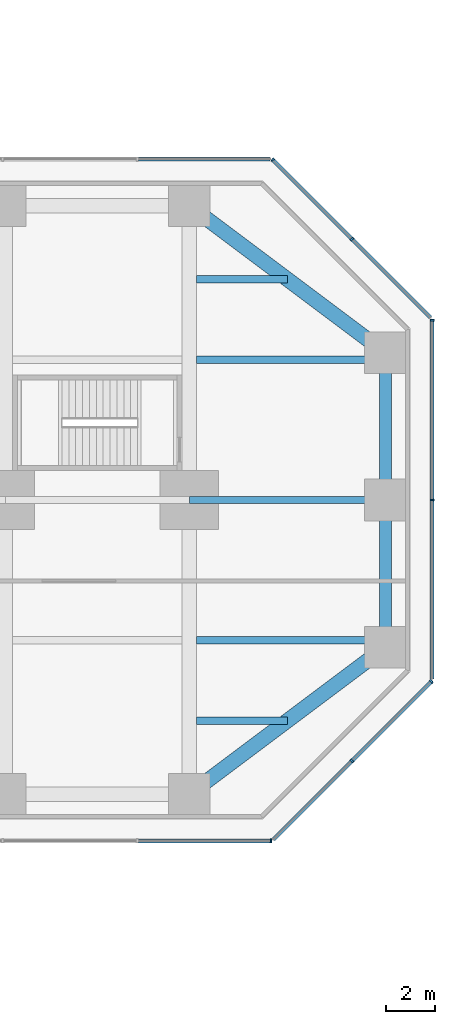
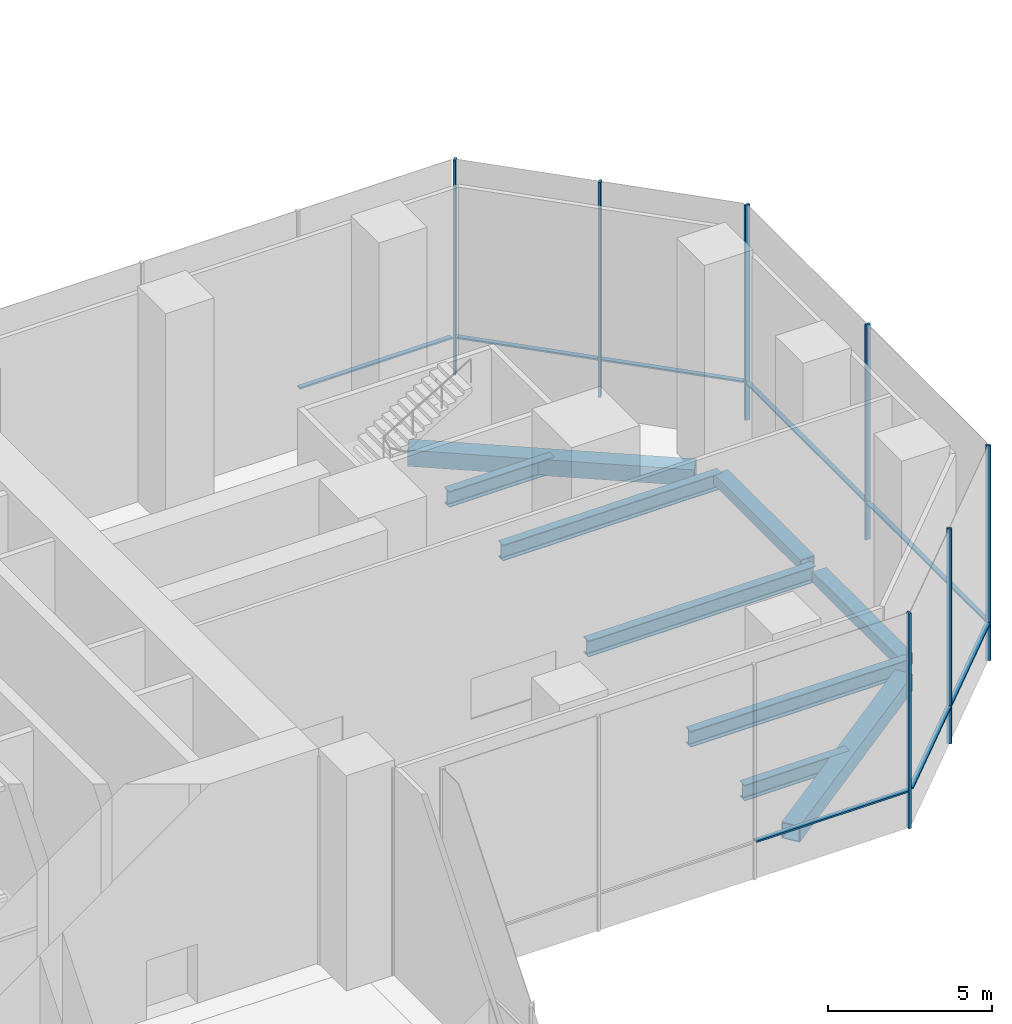
# One storey, part 11 of 25: 15 members, 9 beams, 5 elements without a shape of their own.
"""IFC4 building model written with IfcOpenShell, lengths in metres."""

import ifcopenshell
import ifcopenshell.guid

model = None  # the IFC model being written
_history = None  # IfcOwnerHistory: only IFC2X3 demands one
_inside = {}  # id of a spatial element -> (the spatial element, [elements in it])
_under = {}  # id of a project, library or spatial element -> (it, [spatial elements below it])
_declared = {}  # id of a project -> (the project, [libraries it declares])
_typed = {}  # id of a type object -> (the type object, [elements of that type])
_made_of = {}  # id of a material, layer set ... -> (it, [elements and type objects made of it])


def new_model(schema):
    """Start an empty IFC model of exactly this schema.

    Asked for "IFC4X3", IfcOpenShell would pick the latest addendum, in which some entities
    have other attributes; the version numbers below select the first issue.
    IFC2X3 requires an IfcOwnerHistory on every rooted entity: one is made here for all.
    """
    global model, _history
    if schema == "IFC4X3":
        model = ifcopenshell.file(schema_version=(4, 3, 0, 0))
    else:
        model = ifcopenshell.file(schema=schema)
    _inside.clear()
    _under.clear()
    _declared.clear()
    _typed.clear()
    _made_of.clear()
    _history = None
    if model.schema == "IFC2X3":
        org = make("IfcOrganization", Name="unknown")
        user = make(
            "IfcPersonAndOrganization",
            ThePerson=make("IfcPerson", FamilyName="unknown"),
            TheOrganization=org,
        )
        app = make(
            "IfcApplication",
            ApplicationDeveloper=org,
            Version="unknown",
            ApplicationFullName="unknown",
            ApplicationIdentifier="unknown",
        )
        _history = make(
            "IfcOwnerHistory",
            OwningUser=user,
            OwningApplication=app,
            ChangeAction="ADDED",
            CreationDate=0,
        )
    return model


def make(cls, **values):
    """One entity of the class cls with the attributes given. An attribute that is None is left unset."""
    return model.create_entity(
        cls, **{name: value for name, value in values.items() if value is not None}
    )


def rooted(cls, **values):
    """An entity with a GlobalId (a new one), such as an element, a storey or a relation."""
    return make(cls, GlobalId=ifcopenshell.guid.new(), OwnerHistory=_history, **values)


def si_unit(unit_type, name, prefix=None):
    """IfcSIUnit, for example si_unit("LENGTHUNIT", "METRE", prefix="MILLI")."""
    return make("IfcSIUnit", UnitType=unit_type, Prefix=prefix, Name=name)


def assignment(units):
    """IfcUnitAssignment: the units of a project."""
    return None if units is None else make("IfcUnitAssignment", Units=units)


def point(xyz):
    """IfcCartesianPoint."""
    return None if xyz is None else make("IfcCartesianPoint", Coordinates=xyz)


def direction(xyz):
    """IfcDirection."""
    return None if xyz is None else make("IfcDirection", DirectionRatios=xyz)


def frame(location, z_axis=None, x_axis=None):
    """IfcAxis2Placement3D, a coordinate frame: its origin and axes. An axis left out is left unset."""
    return make(
        "IfcAxis2Placement3D",
        Location=point(location),
        Axis=direction(z_axis),
        RefDirection=direction(x_axis),
    )


def frame_2d(location, x_axis=None):
    """IfcAxis2Placement2D, a coordinate frame in the plane: its origin and x axis."""
    return make(
        "IfcAxis2Placement2D", Location=point(location), RefDirection=direction(x_axis)
    )


def origin():
    """The frame at (0, 0, 0) with its axes left unset."""
    return frame((0.0, 0.0, 0.0))


def origin_2d():
    """The frame at (0, 0) in the plane with its x axis left unset."""
    return frame_2d((0.0, 0.0))


def place(relative_to, where):
    """IfcLocalPlacement: puts the frame where relative to a parent placement (None: the world)."""
    return make(
        "IfcLocalPlacement", PlacementRelTo=relative_to, RelativePlacement=where
    )


def context(
    kind, dimensions, precision=None, world=None, true_north=None, identifier=None
):
    """IfcGeometricRepresentationContext, for example the 3D "Model" context."""
    return make(
        "IfcGeometricRepresentationContext",
        ContextIdentifier=identifier,
        ContextType=kind,
        CoordinateSpaceDimension=dimensions,
        Precision=precision,
        WorldCoordinateSystem=world,
        TrueNorth=true_north,
    )


def subcontext(parent, identifier, kind, view, scale=None):
    """IfcGeometricRepresentationSubContext, for example "Body" below "Model"."""
    return make(
        "IfcGeometricRepresentationSubContext",
        ContextIdentifier=identifier,
        ContextType=kind,
        ParentContext=parent,
        TargetScale=scale,
        TargetView=view,
    )


def project(units=None, contexts=None):
    """IfcProject with its units and contexts."""
    return rooted(
        "IfcProject",
        Name="project",
        RepresentationContexts=contexts,
        UnitsInContext=assignment(units),
    )


def spatial(cls, under=None, at=None, **own):
    """A site, building, storey or space (cls), placed at a placement, below another one or the project."""
    s = rooted(cls, ObjectPlacement=at, **own)
    if under is not None:
        _under.setdefault(under.id(), (under, []))[1].append(s)
    return s


def profile(cls, at=None, kind="AREA", **sizes):
    """A parametric profile (cls). Its sizes go by their IFC names, for example OverallWidth=200.0."""
    return make(cls, ProfileType=kind, Position=at, **sizes)


def rectangle(**sizes):
    """IfcRectangleProfileDef."""
    return profile("IfcRectangleProfileDef", **sizes)


def hollow_rectangle(**sizes):
    """IfcRectangleHollowProfileDef."""
    return profile("IfcRectangleHollowProfileDef", **sizes)


def i_section(**sizes):
    """IfcIShapeProfileDef."""
    return profile("IfcIShapeProfileDef", **sizes)


def extrude(swept, where, along, depth):
    """IfcExtrudedAreaSolid: the profile swept, set in the frame where, extruded along a direction by depth."""
    return make(
        "IfcExtrudedAreaSolid",
        SweptArea=swept,
        Position=where,
        ExtrudedDirection=direction(along),
        Depth=depth,
    )


def shape(context_of_items, identifier, shape_type, items):
    """IfcShapeRepresentation: the items that make up one representation, for example the "Body"."""
    return make(
        "IfcShapeRepresentation",
        ContextOfItems=context_of_items,
        RepresentationIdentifier=identifier,
        RepresentationType=shape_type,
        Items=items,
    )


def material(Name=None, Category=None):
    """IfcMaterial."""
    return make("IfcMaterial", Name=Name, Category=Category)


def material_profile(
    of_material, cross_section, Name=None, Category=None, Priority=None
):
    """IfcMaterialProfile: a cross section and its material."""
    return make(
        "IfcMaterialProfile",
        Name=Name,
        Material=of_material,
        Profile=cross_section,
        Priority=Priority,
        Category=Category,
    )


def profile_set(profiles, Name=None, composite=None):
    """IfcMaterialProfileSet."""
    return make(
        "IfcMaterialProfileSet",
        Name=Name,
        MaterialProfiles=profiles,
        CompositeProfile=composite,
    )


def made_of(thing, what):
    """Note that an element or type object is made of a material, layer set ...; save() writes the relation."""
    if what is not None:
        _made_of.setdefault(what.id(), (what, []))[1].append(thing)
    return thing


def type_object(cls, material=None, **own):
    """A type object (cls), such as IfcWallType, which elements share."""
    return made_of(rooted(cls, **own), material)


def element(
    cls,
    number,
    at=None,
    inside=None,
    cuts=None,
    type_object=None,
    material=None,
    context=None,
    identifier="Body",
    shape_type=None,
    held_by="IfcProductDefinitionShape",
    body=None,
    shapes=None,
    **own,
):
    """One element of the class cls, such as IfcWall. Its Tag is "e" and its number.

    at: its placement. inside: the storey or other place that contains it. cuts: it is an
    opening in that element (IfcRelVoidsElement). A single representation is given by context,
    identifier, shape_type and body (its items); several are given by shapes. held_by: the class
    of the entity that holds the representations. save() writes the other relations.
    """
    e = rooted(cls, Tag="e%d" % number, ObjectPlacement=at, **own)
    if body is not None:
        shapes = [shape(context, identifier, shape_type, body)]
    if shapes is not None:
        e.Representation = make(held_by, Representations=shapes)
    if inside is not None:
        _inside.setdefault(inside.id(), (inside, []))[1].append(e)
    if cuts is not None:
        rooted(
            "IfcRelVoidsElement", RelatingBuildingElement=cuts, RelatedOpeningElement=e
        )
    if type_object is not None:
        _typed.setdefault(type_object.id(), (type_object, []))[1].append(e)
    return made_of(e, material)


def aggregate(whole, parts):
    """IfcRelAggregates: a whole, such as a stair, and the parts it consists of."""
    return rooted("IfcRelAggregates", RelatingObject=whole, RelatedObjects=parts)


def save(model, path):
    """Write the relations noted so far, then the file.

    IfcRelAggregates (storeys below a building ...), IfcRelContainedInSpatialStructure (elements
    in a storey), IfcRelDefinesByType, IfcRelAssociatesMaterial and IfcRelDeclares: one each for
    every whole, place, type object, material and project.
    """
    for whole, parts in _under.values():
        aggregate(whole, parts)
    for where, things in _inside.values():
        rooted(
            "IfcRelContainedInSpatialStructure",
            RelatedElements=things,
            RelatingStructure=where,
        )
    for kind, things in _typed.values():
        rooted("IfcRelDefinesByType", RelatedObjects=things, RelatingType=kind)
    for what, things in _made_of.values():
        rooted("IfcRelAssociatesMaterial", RelatedObjects=things, RelatingMaterial=what)
    for by, libraries in _declared.values():
        rooted("IfcRelDeclares", RelatingContext=by, RelatedDefinitions=libraries)
    model.write(path)


model = new_model("IFC4")

# Units and contexts
model_context = context("Model", 3, precision=1e-05, world=origin(), true_north=direction((0.0, 1.0)))
body_context = subcontext(model_context, "Body", "Model", "MODEL_VIEW")
ifc_project = project(units=[si_unit("LENGTHUNIT", "METRE"), si_unit("AREAUNIT", "SQUARE_METRE"), si_unit("VOLUMEUNIT", "CUBIC_METRE"), si_unit("PLANEANGLEUNIT", "RADIAN"), si_unit("MASSUNIT", "GRAM", prefix="KILO")], contexts=[model_context])

# Site, building, storey
site_placement = place(None, origin())
site = spatial("IfcSite", under=ifc_project, at=site_placement, CompositionType="ELEMENT")
building_placement = place(site_placement, origin())
building = spatial("IfcBuilding", under=site, at=building_placement, Name="Mizan Broadcast Tower", CompositionType="ELEMENT")
storey_placement = place(building_placement, frame((0.0, 0.0, 15.0)))
storey = spatial("IfcBuildingStorey", under=building, at=storey_placement, Name="L02", CompositionType="ELEMENT", Elevation=15.0)

# Beams
ifc_material_1 = material(Name="Steel S355", Category="steel")
ifc_material_profile_1 = material_profile(ifc_material_1, hollow_rectangle(XDim=0.5, YDim=0.39990234375, WallThickness=0.02490234375, at=origin_2d()), Name="BOX 400x500x25")
ifc_profile_set_1 = profile_set([ifc_material_profile_1], Name="Steel S355")
beam_type_1 = type_object("IfcBeamType", Name="EDGE BEAM BOX 400x500x25", PredefinedType="SPANDREL", material=ifc_profile_set_1)
for number, where, z_axis, x_axis, name in (
    (1, (35.0, -5.639892578125, -0.449951171875), (0.0, 1.0, 0.0), (-1.0, 0.0, 0.0), "Edge beam BOX 400x500x25 L02 east arm"),
    (2, (35.0, 5.639892578125, -0.449951171875), (0.0, -1.0, 0.0), (1.0, 0.0, 0.0), "Edge beam BOX 400x500x25 L02 east arm"),
):
    element("IfcBeam", number, at=place(storey_placement, frame(where, z_axis=z_axis, x_axis=x_axis)), inside=storey, type_object=beam_type_1, Name=name, PredefinedType="SPANDREL", context=body_context, shape_type="SweptSolid", body=[
        extrude(hollow_rectangle(XDim=0.5, YDim=0.39990234375, WallThickness=0.02490234375, at=origin_2d()), origin(), (0.0, 0.0, 1.0), 5.27978515625),
    ])
ifc_material_2 = material(Name="Steel S355", Category="steel")
ifc_material_profile_2 = material_profile(ifc_material_2, hollow_rectangle(XDim=0.60009765625, YDim=0.60009765625, WallThickness=0.030029296875, at=origin_2d()), Name="BOX 600x600x30")
ifc_profile_set_2 = profile_set([ifc_material_profile_2], Name="Steel S355")
beam_type_2 = type_object("IfcBeamType", Name="EDGE BEAM BOX 600x600x30", PredefinedType="SPANDREL", material=ifc_profile_set_2)
for number, where, z_axis, x_axis, name in (
    (3, (27.47998046875, -11.639892578125, -0.550048828125), (0.800013316712, 0.599982243973, 0.0), (-0.599982243973, 0.800013316712, 0.0), "Edge beam BOX 600x600x30 L02 east arm"),
    (4, (27.47998046875, 11.639892578125, -0.550048828125), (0.800013316712, -0.599982243973, 0.0), (0.599982243973, 0.800013316712, 0.0), "Edge beam BOX 600x600x30 L02 east arm"),
):
    element("IfcBeam", number, at=place(storey_placement, frame(where, z_axis=z_axis, x_axis=x_axis)), inside=storey, type_object=beam_type_2, Name=name, PredefinedType="SPANDREL", context=body_context, shape_type="SweptSolid", body=[
        extrude(hollow_rectangle(XDim=0.60009765625, YDim=0.60009765625, WallThickness=0.030029296875, at=origin_2d()), origin(), (0.0, 0.0, 1.0), 8.7998046875),
    ])

# Curtain wall, member
ifc_material_3 = material(Name="Aluminium framed glazing", Category="aluminium")
curtain_wall_type = type_object("IfcCurtainWallType", Name="OUTER SKIN", PredefinedType="USERDEFINED", material=ifc_material_3)
curtain_wall_1_placement = place(storey_placement, origin())
curtain_wall_1 = element("IfcCurtainWall", 5, at=curtain_wall_1_placement, inside=storey, type_object=curtain_wall_type, Name="Outer skin L02 E side", ObjectType="OUTER SKIN", PredefinedType="USERDEFINED")
ifc_material_4 = material(Name="Aluminium, pale anodised", Category="aluminium")
ifc_material_profile_3 = material_profile(ifc_material_4, rectangle(XDim=0.159912109375, YDim=0.080078125, at=origin_2d()), Name="MULLION 160x80")
ifc_profile_set_3 = profile_set([ifc_material_profile_3], Name="Aluminium, pale anodised")
member_type_1 = type_object("IfcMemberType", Name="OUTER SKIN MULLION 80x160", PredefinedType="MULLION", material=ifc_profile_set_3)
member_1_placement = place(storey_placement, frame((30.332763671875, -13.89990234375, 0.0), z_axis=(0.0, 0.0, 1.0), x_axis=(0.0, 1.0, 0.0)))
member_1 = element("IfcMember", 6, at=member_1_placement, type_object=member_type_1, Name="Outer skin L02 E side mullion 4", PredefinedType="MULLION", context=body_context, shape_type="SweptSolid", body=[
    extrude(rectangle(XDim=0.159912109375, YDim=0.080078125, at=origin_2d()), origin(), (0.0, 0.0, 1.0), 8.0),
])

# Curtain wall, members
curtain_wall_2_placement = place(storey_placement, origin())
curtain_wall_2 = element("IfcCurtainWall", 7, at=curtain_wall_2_placement, inside=storey, type_object=curtain_wall_type, Name="Outer skin L02 E chamfer", ObjectType="OUTER SKIN", PredefinedType="USERDEFINED")
member_2_placement = place(storey_placement, frame((33.636474609375, -10.636474609375, 0.0), z_axis=(0.0, 0.0, 1.0), x_axis=(-0.707106781187, 0.707106781187, 0.0)))
member_2 = element("IfcMember", 8, at=member_2_placement, type_object=member_type_1, Name="Outer skin L02 E chamfer mullion 2", PredefinedType="MULLION", context=body_context, shape_type="SweptSolid", body=[
    extrude(rectangle(XDim=0.159912109375, YDim=0.080078125, at=origin_2d()), origin(), (0.0, 0.0, 1.0), 8.0),
])
member_3_placement = place(storey_placement, frame((36.871826171875, -7.401123046875, 0.0), z_axis=(0.0, 0.0, 1.0), x_axis=(-0.707106781187, 0.707106781187, 0.0)))
member_3 = element("IfcMember", 9, at=member_3_placement, type_object=member_type_1, Name="Outer skin L02 E chamfer mullion 3", PredefinedType="MULLION", context=body_context, shape_type="SweptSolid", body=[
    extrude(rectangle(XDim=0.159912109375, YDim=0.080078125, at=origin_2d()), origin(), (0.0, 0.0, 1.0), 8.0),
])

curtain_wall_3_placement = place(storey_placement, origin())
curtain_wall_3 = element("IfcCurtainWall", 10, at=curtain_wall_3_placement, inside=storey, type_object=curtain_wall_type, Name="Outer skin L02 E end", ObjectType="OUTER SKIN", PredefinedType="USERDEFINED")
member_4_placement = place(storey_placement, frame((36.89990234375, 0.0, 0.0), z_axis=(0.0, 0.0, 1.0), x_axis=(-1.0, 0.0, 0.0)))
member_4 = element("IfcMember", 11, at=member_4_placement, type_object=member_type_1, Name="Outer skin L02 E end mullion 2", PredefinedType="MULLION", context=body_context, shape_type="SweptSolid", body=[
    extrude(rectangle(XDim=0.159912109375, YDim=0.080078125, at=origin_2d()), origin(), (0.0, 0.0, 1.0), 8.0),
])
member_5_placement = place(storey_placement, frame((36.89990234375, 7.332763671875, 0.0), z_axis=(0.0, 0.0, 1.0), x_axis=(-1.0, 0.0, 0.0)))
member_5 = element("IfcMember", 12, at=member_5_placement, type_object=member_type_1, Name="Outer skin L02 E end mullion 3", PredefinedType="MULLION", context=body_context, shape_type="SweptSolid", body=[
    extrude(rectangle(XDim=0.159912109375, YDim=0.080078125, at=origin_2d()), origin(), (0.0, 0.0, 1.0), 8.0),
])

curtain_wall_4_placement = place(storey_placement, origin())
curtain_wall_4 = element("IfcCurtainWall", 13, at=curtain_wall_4_placement, inside=storey, type_object=curtain_wall_type, Name="Outer skin L02 E chamfer", ObjectType="OUTER SKIN", PredefinedType="USERDEFINED")
member_6_placement = place(storey_placement, frame((33.636474609375, 10.636474609375, 0.0), z_axis=(0.0, 0.0, 1.0), x_axis=(-0.707106781187, -0.707106781187, 0.0)))
member_6 = element("IfcMember", 14, at=member_6_placement, type_object=member_type_1, Name="Outer skin L02 E chamfer mullion 2", PredefinedType="MULLION", context=body_context, shape_type="SweptSolid", body=[
    extrude(rectangle(XDim=0.159912109375, YDim=0.080078125, at=origin_2d()), origin(), (0.0, 0.0, 1.0), 8.0),
])
member_7_placement = place(storey_placement, frame((30.401123046875, 13.871826171875, 0.0), z_axis=(0.0, 0.0, 1.0), x_axis=(-0.707106781187, -0.707106781187, 0.0)))
member_7 = element("IfcMember", 15, at=member_7_placement, type_object=member_type_1, Name="Outer skin L02 E chamfer mullion 3", PredefinedType="MULLION", context=body_context, shape_type="SweptSolid", body=[
    extrude(rectangle(XDim=0.159912109375, YDim=0.080078125, at=origin_2d()), origin(), (0.0, 0.0, 1.0), 8.0),
])

# Member
ifc_material_5 = material(Name="Aluminium, pale anodised", Category="aluminium")
ifc_material_profile_4 = material_profile(ifc_material_5, rectangle(XDim=0.159912109375, YDim=0.06005859375, at=origin_2d()), Name="TRANSOM 160x60")
ifc_profile_set_4 = profile_set([ifc_material_profile_4], Name="Aluminium, pale anodised")
member_type_2 = type_object("IfcMemberType", Name="OUTER SKIN TRANSOM 60x160", PredefinedType="USERDEFINED", material=ifc_profile_set_4)
member_8_placement = place(storey_placement, frame((24.921875, -13.89990234375, 1.39990234375), z_axis=(1.0, 0.0, 0.0), x_axis=(0.0, 1.0, 0.0)))
member_8 = element("IfcMember", 16, at=member_8_placement, type_object=member_type_2, Name="Outer skin L02 E side transom 3.1", ObjectType="TRANSOM", PredefinedType="USERDEFINED", context=body_context, shape_type="SweptSolid", body=[
    extrude(rectangle(XDim=0.159912109375, YDim=0.06005859375, at=origin_2d()), origin(), (0.0, 0.0, 1.0), 5.370849609375),
])

aggregate(curtain_wall_1, [member_1, member_8])

member_9_placement = place(storey_placement, frame((30.429443359375, -13.843505859375, 1.39990234375), z_axis=(0.707106781187, 0.707106781187, 0.0), x_axis=(-0.707106781187, 0.707106781187, 0.0)))
member_9 = element("IfcMember", 17, at=member_9_placement, type_object=member_type_2, Name="Outer skin L02 E chamfer transom 1.1", ObjectType="TRANSOM", PredefinedType="USERDEFINED", context=body_context, shape_type="SweptSolid", body=[
    extrude(rectangle(XDim=0.159912109375, YDim=0.06005859375, at=origin_2d()), origin(), (0.0, 0.0, 1.0), 4.495361328125),
])

member_10_placement = place(storey_placement, frame((33.664794921875, -10.608154296875, 1.39990234375), z_axis=(0.707106781187, 0.707106781187, 0.0), x_axis=(-0.707106781187, 0.707106781187, 0.0)))
member_10 = element("IfcMember", 18, at=member_10_placement, type_object=member_type_2, Name="Outer skin L02 E chamfer transom 2.1", ObjectType="TRANSOM", PredefinedType="USERDEFINED", context=body_context, shape_type="SweptSolid", body=[
    extrude(rectangle(XDim=0.159912109375, YDim=0.06005859375, at=origin_2d()), origin(), (0.0, 0.0, 1.0), 4.495361328125),
])

aggregate(curtain_wall_2, [member_2, member_3, member_9, member_10])

member_11_placement = place(storey_placement, frame((36.89990234375, -7.292724609375, 1.39990234375), z_axis=(0.0, 1.0, 0.0), x_axis=(-1.0, 0.0, 0.0)))
member_11 = element("IfcMember", 19, at=member_11_placement, type_object=member_type_2, Name="Outer skin L02 E end transom 1.1", ObjectType="TRANSOM", PredefinedType="USERDEFINED", context=body_context, shape_type="SweptSolid", body=[
    extrude(rectangle(XDim=0.159912109375, YDim=0.06005859375, at=origin_2d()), origin(), (0.0, 0.0, 1.0), 7.252685546875),
])

member_12_placement = place(storey_placement, frame((36.89990234375, 0.0400390625, 1.39990234375), z_axis=(0.0, 1.0, 0.0), x_axis=(-1.0, 0.0, 0.0)))
member_12 = element("IfcMember", 20, at=member_12_placement, type_object=member_type_2, Name="Outer skin L02 E end transom 2.1", ObjectType="TRANSOM", PredefinedType="USERDEFINED", context=body_context, shape_type="SweptSolid", body=[
    extrude(rectangle(XDim=0.159912109375, YDim=0.06005859375, at=origin_2d()), origin(), (0.0, 0.0, 1.0), 7.252685546875),
])

aggregate(curtain_wall_3, [member_4, member_5, member_11, member_12])

member_13_placement = place(storey_placement, frame((36.843505859375, 7.429443359375, 1.39990234375), z_axis=(-0.707106781187, 0.707106781187, 0.0), x_axis=(-0.707106781187, -0.707106781187, 0.0)))
member_13 = element("IfcMember", 21, at=member_13_placement, type_object=member_type_2, Name="Outer skin L02 E chamfer transom 1.1", ObjectType="TRANSOM", PredefinedType="USERDEFINED", context=body_context, shape_type="SweptSolid", body=[
    extrude(rectangle(XDim=0.159912109375, YDim=0.06005859375, at=origin_2d()), origin(), (0.0, 0.0, 1.0), 4.495361328125),
])

member_14_placement = place(storey_placement, frame((33.608154296875, 10.664794921875, 1.39990234375), z_axis=(-0.707106781187, 0.707106781187, 0.0), x_axis=(-0.707106781187, -0.707106781187, 0.0)))
member_14 = element("IfcMember", 22, at=member_14_placement, type_object=member_type_2, Name="Outer skin L02 E chamfer transom 2.1", ObjectType="TRANSOM", PredefinedType="USERDEFINED", context=body_context, shape_type="SweptSolid", body=[
    extrude(rectangle(XDim=0.159912109375, YDim=0.06005859375, at=origin_2d()), origin(), (0.0, 0.0, 1.0), 4.495361328125),
])

aggregate(curtain_wall_4, [member_6, member_7, member_13, member_14])

# Curtain wall, member
curtain_wall_5_placement = place(storey_placement, origin())
curtain_wall_5 = element("IfcCurtainWall", 23, at=curtain_wall_5_placement, inside=storey, type_object=curtain_wall_type, Name="Outer skin L02 E side", ObjectType="OUTER SKIN", PredefinedType="USERDEFINED")
member_15_placement = place(storey_placement, frame((30.292724609375, 13.89990234375, 1.39990234375), z_axis=(-1.0, 0.0, 0.0), x_axis=(0.0, -1.0, 0.0)))
member_15 = element("IfcMember", 24, at=member_15_placement, type_object=member_type_2, Name="Outer skin L02 E side transom 1.1", ObjectType="TRANSOM", PredefinedType="USERDEFINED", context=body_context, shape_type="SweptSolid", body=[
    extrude(rectangle(XDim=0.159912109375, YDim=0.06005859375, at=origin_2d()), origin(), (0.0, 0.0, 1.0), 5.370849609375),
])
aggregate(curtain_wall_5, [member_15])

# Beams
ifc_material_6 = material(Name="Steel S355", Category="steel")
ifc_material_profile_5 = material_profile(ifc_material_6, i_section(OverallWidth=0.300048828125, OverallDepth=0.590087890625, WebThickness=0.012939453125, FlangeThickness=0.02490234375, FilletRadius=0.027099609375, at=origin_2d()), Name="HEA 600")
ifc_profile_set_5 = profile_set([ifc_material_profile_5], Name="Steel S355")
beam_type_3 = type_object("IfcBeamType", Name="SECONDARY BEAM HEA 600", PredefinedType="JOIST", material=ifc_profile_set_5)
beam_1_placement = place(storey_placement, frame((27.300048828125, -5.71435546875, -0.544921875), z_axis=(1.0, 0.0, 0.0), x_axis=(0.0, 1.0, 0.0)))
element("IfcBeam", 25, at=beam_1_placement, inside=storey, type_object=beam_type_3, Name="Secondary beam HEA 600 L02 east arm", PredefinedType="JOIST", context=body_context, shape_type="SweptSolid", body=[
    extrude(i_section(OverallWidth=0.300048828125, OverallDepth=0.590087890625, WebThickness=0.012939453125, FlangeThickness=0.02490234375, FilletRadius=0.027099609375, at=origin_2d()), origin(), (0.0, 0.0, 1.0), 7.699951171875),
])
beam_2_placement = place(storey_placement, frame((27.300048828125, -9.0, -0.544921875), z_axis=(1.0, 0.0, 0.0), x_axis=(0.0, 1.0, 0.0)))
element("IfcBeam", 26, at=beam_2_placement, inside=storey, type_object=beam_type_3, Name="Secondary beam HEA 600 L02 east arm", PredefinedType="JOIST", context=body_context, shape_type="SweptSolid", body=[
    extrude(i_section(OverallWidth=0.300048828125, OverallDepth=0.590087890625, WebThickness=0.012939453125, FlangeThickness=0.02490234375, FilletRadius=0.027099609375, at=origin_2d()), origin(), (0.0, 0.0, 1.0), 3.699951171875),
])
beam_3_placement = place(storey_placement, frame((27.0, 0.0, -0.544921875), z_axis=(1.0, 0.0, 0.0), x_axis=(0.0, 1.0, 0.0)))
element("IfcBeam", 27, at=beam_3_placement, inside=storey, type_object=beam_type_3, Name="Secondary beam HEA 600 L02 east arm", PredefinedType="JOIST", context=body_context, shape_type="SweptSolid", body=[
    extrude(i_section(OverallWidth=0.300048828125, OverallDepth=0.590087890625, WebThickness=0.012939453125, FlangeThickness=0.02490234375, FilletRadius=0.027099609375, at=origin_2d()), origin(), (0.0, 0.0, 1.0), 8.0),
])
beam_4_placement = place(storey_placement, frame((27.300048828125, 5.71435546875, -0.544921875), z_axis=(1.0, 0.0, 0.0), x_axis=(0.0, 1.0, 0.0)))
element("IfcBeam", 28, at=beam_4_placement, inside=storey, type_object=beam_type_3, Name="Secondary beam HEA 600 L02 east arm", PredefinedType="JOIST", context=body_context, shape_type="SweptSolid", body=[
    extrude(i_section(OverallWidth=0.300048828125, OverallDepth=0.590087890625, WebThickness=0.012939453125, FlangeThickness=0.02490234375, FilletRadius=0.027099609375, at=origin_2d()), origin(), (0.0, 0.0, 1.0), 7.699951171875),
])
beam_5_placement = place(storey_placement, frame((27.300048828125, 9.0, -0.544921875), z_axis=(1.0, 0.0, 0.0), x_axis=(0.0, 1.0, 0.0)))
element("IfcBeam", 29, at=beam_5_placement, inside=storey, type_object=beam_type_3, Name="Secondary beam HEA 600 L02 east arm", PredefinedType="JOIST", context=body_context, shape_type="SweptSolid", body=[
    extrude(i_section(OverallWidth=0.300048828125, OverallDepth=0.590087890625, WebThickness=0.012939453125, FlangeThickness=0.02490234375, FilletRadius=0.027099609375, at=origin_2d()), origin(), (0.0, 0.0, 1.0), 3.699951171875),
])

save(model, "model.ifc")
